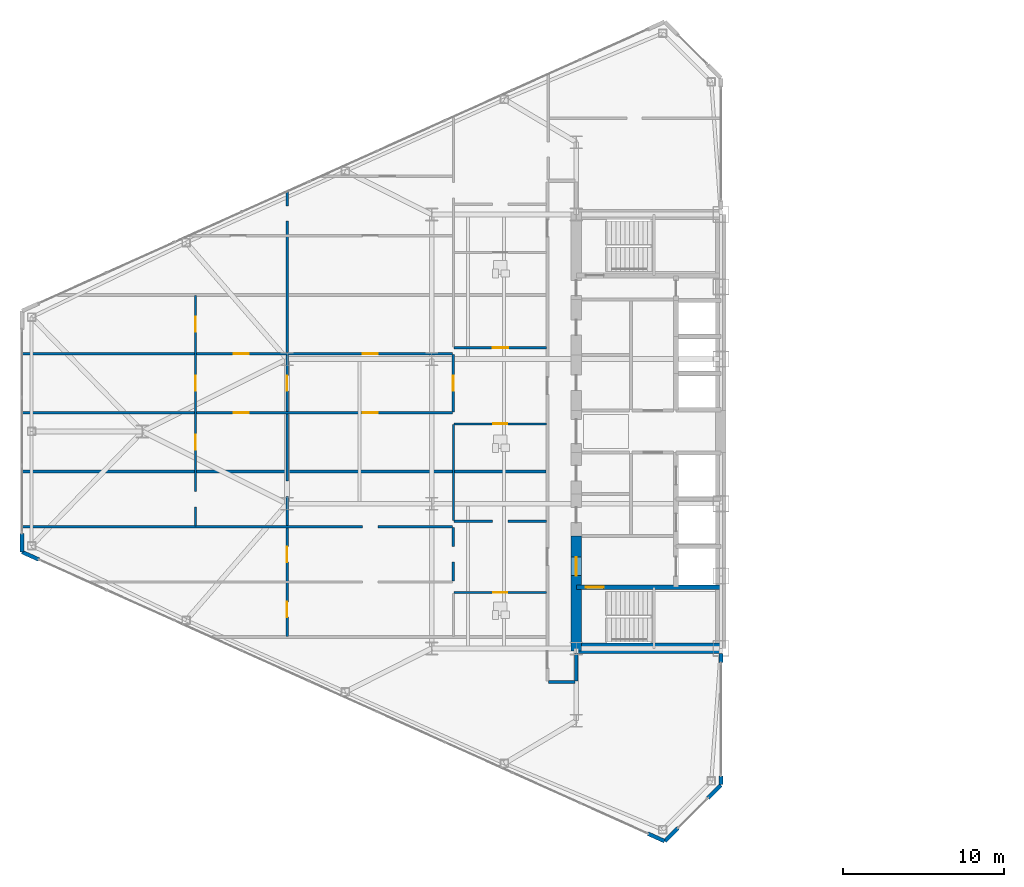
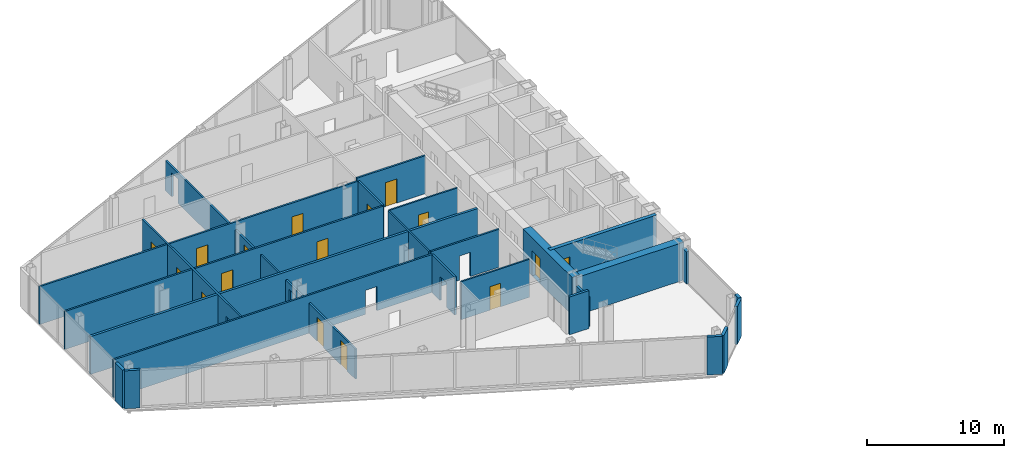
# One storey, part 19 of 27: 25 walls, 16 doors, 22 openings.
"""IFC4 building model written with IfcOpenShell, lengths in metres."""

from ifc_helpers import new_model, si_unit, direction, frame, frame_2d, origin, place, context, subcontext, project, spatial, rectangle, extrude, source, transform, mapped, material, layer, layer_set, type_object, type_shapes, element, fill, save


model = new_model("IFC4")

# Units and contexts
model_context = context("Model", 3, precision=1e-05, world=origin(), true_north=direction((0.0, 1.0)))
body_context = subcontext(model_context, "Body", "Model", "MODEL_VIEW")
ifc_project = project(units=[si_unit("LENGTHUNIT", "METRE"), si_unit("AREAUNIT", "SQUARE_METRE"), si_unit("VOLUMEUNIT", "CUBIC_METRE"), si_unit("PLANEANGLEUNIT", "RADIAN"), si_unit("MASSUNIT", "GRAM", prefix="KILO")], contexts=[model_context])

# Site, building, storey
site_placement = place(None, origin())
site = spatial("IfcSite", under=ifc_project, at=site_placement, CompositionType="ELEMENT")
building_placement = place(site_placement, origin())
building = spatial("IfcBuilding", under=site, at=building_placement, Name="Seokmaru Belvedere", CompositionType="ELEMENT")
storey_placement = place(building_placement, frame((0.0, 0.0, 92.39990234375)))
storey = spatial("IfcBuildingStorey", under=building, at=storey_placement, Name="L24", CompositionType="ELEMENT", Elevation=92.39990234375)

# Wall, opening
ifc_material_1 = material(Name="Fire-Rated Gypsum Shaftwall")
ifc_layer_1 = layer(ifc_material_1, 0.14990234375)
ifc_layer_set_1 = layer_set([ifc_layer_1], Name="Fire-Rated Gypsum Shaftwall")
wall_type_1 = type_object("IfcWallType", Name="Apartment Fire-Acoustic Room Partition 150", PredefinedType="PARTITIONING", material=ifc_layer_set_1)
wall_1_placement = place(storey_placement, frame((-71.034912109375, -5.929931640625, 0.0), z_axis=(0.0, 0.0, 1.0), x_axis=(1.0, 0.0, 0.0)))
wall_1 = element("IfcWall", 1, at=wall_1_placement, inside=storey, type_object=wall_type_1, Name="L24 Interior Partition 009", PredefinedType="PARTITIONING", context=body_context, shape_type="SweptSolid", body=[
    extrude(rectangle(XDim=26.8349609375, YDim=0.14990234375, at=frame_2d((13.41748046875, 0.0))), origin(), (0.0, 0.0, 1.0), 3.380126953125),
])
opening_1_placement = place(wall_1_placement, frame((21.235107421875, 0.0, 0.0)))
element("IfcOpeningElement", 2, at=opening_1_placement, cuts=wall_1, Name="L24 Cased Opening 008", PredefinedType="OPENING", context=body_context, shape_type="SweptSolid", body=[
    extrude(rectangle(XDim=0.949951171875, YDim=2.14990234375, at=frame_2d((0.47509765625, 1.074951171875))), frame((0.0, 0.0849609375, 0.0), z_axis=(0.0, -1.0, 0.0), x_axis=(1.0, 0.0, 0.0)), (0.0, 0.0, 1.0), 0.169921875),
])

wall_2_placement = place(storey_placement, frame((-44.10009765625, -5.590087890625, 0.0), z_axis=(0.0, 0.0, 1.0), x_axis=(1.0, 0.0, 0.0)))
wall_2 = element("IfcWall", 3, at=wall_2_placement, inside=storey, type_object=wall_type_1, Name="L24 Interior Partition 010", PredefinedType="PARTITIONING", context=body_context, shape_type="SweptSolid", body=[
    extrude(rectangle(XDim=5.75, YDim=0.14990234375, at=frame_2d((2.875, 0.0))), origin(), (0.0, 0.0, 1.0), 3.380126953125),
])
opening_2_placement = place(wall_2_placement, frame((2.39990234375, 0.0, 0.0)))
element("IfcOpeningElement", 4, at=opening_2_placement, cuts=wall_2, Name="L24 Cased Opening 004", PredefinedType="OPENING", context=body_context, shape_type="SweptSolid", body=[
    extrude(rectangle(XDim=0.949951171875, YDim=2.14990234375, at=frame_2d((0.47509765625, 1.074951171875))), frame((0.0, 0.0849609375, 0.0), z_axis=(0.0, -1.0, 0.0), x_axis=(1.0, 0.0, 0.0)), (0.0, 0.0, 1.0), 0.169921875),
])

# Wall, openings, doors
wall_3_placement = place(storey_placement, frame((-71.034912109375, 1.169921875, 0.0), z_axis=(0.0, 0.0, 1.0), x_axis=(1.0, 0.0, 0.0)))
wall_3 = element("IfcWall", 5, at=wall_3_placement, inside=storey, type_object=wall_type_1, Name="L24 Interior Partition 015", PredefinedType="PARTITIONING", context=body_context, shape_type="SweptSolid", body=[
    extrude(rectangle(XDim=26.8349609375, YDim=0.14990234375, at=frame_2d((13.41748046875, 0.0))), origin(), (0.0, 0.0, 1.0), 3.380126953125),
])
opening_3_placement = place(wall_3_placement, frame((21.235107421875, 0.0, 0.0)))
opening_3 = element("IfcOpeningElement", 6, at=opening_3_placement, cuts=wall_3, Name="Opening D05", PredefinedType="OPENING", context=body_context, shape_type="SweptSolid", body=[
    extrude(rectangle(XDim=0.949951171875, YDim=2.14990234375, at=frame_2d((0.47509765625, 1.074951171875))), frame((0.0, 0.0849609375, 0.0), z_axis=(0.0, -1.0, 0.0), x_axis=(1.0, 0.0, 0.0)), (0.0, 0.0, 1.0), 0.169921875),
])
opening_4_placement = place(wall_3_placement, frame((13.2099609375, 0.0, 0.0)))
opening_4 = element("IfcOpeningElement", 7, at=opening_4_placement, cuts=wall_3, Name="Opening D05", PredefinedType="OPENING", context=body_context, shape_type="SweptSolid", body=[
    extrude(rectangle(XDim=0.949951171875, YDim=2.14990234375, at=frame_2d((0.47509765625, 1.074951171875))), frame((0.0, 0.0849609375, 0.0), z_axis=(0.0, -1.0, 0.0), x_axis=(1.0, 0.0, 0.0)), (0.0, 0.0, 1.0), 0.169921875),
])
ifc_material_2 = material(Name="Engineered White Oak Timber", Category="wood")
door_type_1 = type_object("IfcDoorType", Name="Apartment Interior Fire-Rated Oak Door 950x2150", OperationType="NOTDEFINED", PredefinedType="DOOR", material=ifc_material_2)
shared_shape_1 = source(origin(), body_context, "Body", "SweptSolid", [
    extrude(rectangle(XDim=0.949951171875, YDim=2.14990234375, at=frame_2d((0.47509765625, 1.074951171875))), frame((0.0, 0.02490234375, 0.0), z_axis=(0.0, -1.0, 0.0), x_axis=(1.0, 0.0, 0.0)), (0.0, 0.0, 1.0), 0.050048828125),
])
type_shapes(door_type_1, [shared_shape_1])
door_1_placement = place(opening_3_placement, origin())
door_1 = element("IfcDoor", 8, at=door_1_placement, inside=storey, type_object=door_type_1, Name="L24 Interior Door 017", OperationType="SINGLE_SWING_RIGHT", OverallHeight=2.14990234375, OverallWidth=0.949951171875, PredefinedType="DOOR", context=body_context, shape_type="MappedRepresentation", body=[
    mapped(shared_shape_1, transform((0.0, 0.0, 0.0), scale=1.0)),
])
fill(opening_3, door_1)
door_2_placement = place(opening_4_placement, origin())
door_2 = element("IfcDoor", 9, at=door_2_placement, inside=storey, type_object=door_type_1, Name="L24 Interior Door 019", OperationType="SINGLE_SWING_LEFT", OverallHeight=2.14990234375, OverallWidth=0.949951171875, PredefinedType="DOOR", context=body_context, shape_type="MappedRepresentation", body=[
    mapped(shared_shape_1, transform((0.0, 0.0, 0.0), scale=1.0)),
])
fill(opening_4, door_2)

wall_4_placement = place(storey_placement, frame((-71.034912109375, 4.830078125, 0.0), z_axis=(0.0, 0.0, 1.0), x_axis=(1.0, 0.0, 0.0)))
wall_4 = element("IfcWall", 10, at=wall_4_placement, inside=storey, type_object=wall_type_1, Name="L24 Interior Partition 017", PredefinedType="PARTITIONING", context=body_context, shape_type="SweptSolid", body=[
    extrude(rectangle(XDim=26.8349609375, YDim=0.14990234375, at=frame_2d((13.41748046875, 0.0))), origin(), (0.0, 0.0, 1.0), 3.380126953125),
])
opening_5_placement = place(wall_4_placement, frame((21.235107421875, 0.0, 0.0)))
opening_5 = element("IfcOpeningElement", 11, at=opening_5_placement, cuts=wall_4, Name="Opening D05", PredefinedType="OPENING", context=body_context, shape_type="SweptSolid", body=[
    extrude(rectangle(XDim=0.949951171875, YDim=2.14990234375, at=frame_2d((0.47509765625, 1.074951171875))), frame((0.0, 0.0849609375, 0.0), z_axis=(0.0, -1.0, 0.0), x_axis=(1.0, 0.0, 0.0)), (0.0, 0.0, 1.0), 0.169921875),
])
opening_6_placement = place(wall_4_placement, frame((13.2099609375, 0.0, 0.0)))
opening_6 = element("IfcOpeningElement", 12, at=opening_6_placement, cuts=wall_4, Name="Opening D05", PredefinedType="OPENING", context=body_context, shape_type="SweptSolid", body=[
    extrude(rectangle(XDim=0.949951171875, YDim=2.14990234375, at=frame_2d((0.47509765625, 1.074951171875))), frame((0.0, 0.0849609375, 0.0), z_axis=(0.0, -1.0, 0.0), x_axis=(1.0, 0.0, 0.0)), (0.0, 0.0, 1.0), 0.169921875),
])
door_3_placement = place(opening_5_placement, origin())
door_3 = element("IfcDoor", 13, at=door_3_placement, inside=storey, type_object=door_type_1, Name="L24 Interior Door 018", OperationType="SINGLE_SWING_LEFT", OverallHeight=2.14990234375, OverallWidth=0.949951171875, PredefinedType="DOOR", context=body_context, shape_type="MappedRepresentation", body=[
    mapped(shared_shape_1, transform((0.0, 0.0, 0.0), scale=1.0)),
])
fill(opening_5, door_3)
door_4_placement = place(opening_6_placement, origin())
door_4 = element("IfcDoor", 14, at=door_4_placement, inside=storey, type_object=door_type_1, Name="L24 Interior Door 022", OperationType="SINGLE_SWING_LEFT", OverallHeight=2.14990234375, OverallWidth=0.949951171875, PredefinedType="DOOR", context=body_context, shape_type="MappedRepresentation", body=[
    mapped(shared_shape_1, transform((0.0, 0.0, 0.0), scale=1.0)),
])
fill(opening_6, door_4)

# Wall, opening, door
wall_5_placement = place(storey_placement, frame((-44.10009765625, 5.199951171875, 0.0), z_axis=(0.0, 0.0, 1.0), x_axis=(1.0, 0.0, 0.0)))
wall_5 = element("IfcWall", 15, at=wall_5_placement, inside=storey, type_object=wall_type_1, Name="L24 Interior Partition 018", PredefinedType="PARTITIONING", context=body_context, shape_type="SweptSolid", body=[
    extrude(rectangle(XDim=5.75, YDim=0.14990234375, at=frame_2d((2.875, 0.0))), origin(), (0.0, 0.0, 1.0), 3.380126953125),
])
opening_7_placement = place(wall_5_placement, frame((2.39990234375, 0.0, 0.0)))
opening_7 = element("IfcOpeningElement", 16, at=opening_7_placement, cuts=wall_5, Name="Opening D05", PredefinedType="OPENING", context=body_context, shape_type="SweptSolid", body=[
    extrude(rectangle(XDim=0.949951171875, YDim=2.14990234375, at=frame_2d((0.47509765625, 1.074951171875))), frame((0.0, 0.0849609375, 0.0), z_axis=(0.0, -1.0, 0.0), x_axis=(1.0, 0.0, 0.0)), (0.0, 0.0, 1.0), 0.169921875),
])
door_5_placement = place(opening_7_placement, origin())
door_5 = element("IfcDoor", 17, at=door_5_placement, inside=storey, type_object=door_type_1, Name="L24 Interior Door 014", OperationType="SINGLE_SWING_LEFT", OverallHeight=2.14990234375, OverallWidth=0.949951171875, PredefinedType="DOOR", context=body_context, shape_type="MappedRepresentation", body=[
    mapped(shared_shape_1, transform((0.0, 0.0, 0.0), scale=1.0)),
])
fill(opening_7, door_5)

# Wall, openings, doors
wall_6_placement = place(storey_placement, frame((-60.199951171875, -5.883056640625, 0.0), z_axis=(0.0, 0.0, 1.0), x_axis=(0.0, 1.0, 0.0)))
wall_6 = element("IfcWall", 18, at=wall_6_placement, inside=storey, type_object=wall_type_1, Name="L24 Interior Partition 032", PredefinedType="PARTITIONING", context=body_context, shape_type="SweptSolid", body=[
    extrude(rectangle(XDim=14.3330078125, YDim=0.14990234375, at=frame_2d((7.16650390625, 0.0))), origin(), (0.0, 0.0, 1.0), 3.380126953125),
])
opening_8_placement = place(wall_6_placement, frame((1.19140625, 0.0, 0.0)))
element("IfcOpeningElement", 19, at=opening_8_placement, cuts=wall_6, Name="L24 Cased Opening 011", PredefinedType="OPENING", context=body_context, shape_type="SweptSolid", body=[
    extrude(rectangle(XDim=0.949951171875, YDim=2.14990234375, at=frame_2d((0.47509765625, 1.074951171875))), frame((0.0, 0.0849609375, 0.0), z_axis=(0.0, -1.0, 0.0), x_axis=(1.0, 0.0, 0.0)), (0.0, 0.0, 1.0), 0.169921875),
])
opening_9_placement = place(wall_6_placement, frame((4.741455078125, 0.0, 0.0)))
opening_9 = element("IfcOpeningElement", 20, at=opening_9_placement, cuts=wall_6, Name="Opening D05", PredefinedType="OPENING", context=body_context, shape_type="SweptSolid", body=[
    extrude(rectangle(XDim=0.949951171875, YDim=2.14990234375, at=frame_2d((0.47509765625, 1.074951171875))), frame((0.0, 0.0849609375, 0.0), z_axis=(0.0, -1.0, 0.0), x_axis=(1.0, 0.0, 0.0)), (0.0, 0.0, 1.0), 0.169921875),
])
opening_10_placement = place(wall_6_placement, frame((8.407958984375, 0.0, 0.0)))
opening_10 = element("IfcOpeningElement", 21, at=opening_10_placement, cuts=wall_6, Name="Opening D05", PredefinedType="OPENING", context=body_context, shape_type="SweptSolid", body=[
    extrude(rectangle(XDim=0.949951171875, YDim=2.14990234375, at=frame_2d((0.47509765625, 1.074951171875))), frame((0.0, 0.0849609375, 0.0), z_axis=(0.0, -1.0, 0.0), x_axis=(1.0, 0.0, 0.0)), (0.0, 0.0, 1.0), 0.169921875),
])
opening_11_placement = place(wall_6_placement, frame((12.07470703125, 0.0, 0.0)))
opening_11 = element("IfcOpeningElement", 22, at=opening_11_placement, cuts=wall_6, Name="Opening D05", PredefinedType="OPENING", context=body_context, shape_type="SweptSolid", body=[
    extrude(rectangle(XDim=0.949951171875, YDim=2.14990234375, at=frame_2d((0.47509765625, 1.074951171875))), frame((0.0, 0.0849609375, 0.0), z_axis=(0.0, -1.0, 0.0), x_axis=(1.0, 0.0, 0.0)), (0.0, 0.0, 1.0), 0.169921875),
])
door_6_placement = place(opening_9_placement, origin())
door_6 = element("IfcDoor", 23, at=door_6_placement, inside=storey, type_object=door_type_1, Name="L24 Interior Door 020", OperationType="SINGLE_SWING_RIGHT", OverallHeight=2.14990234375, OverallWidth=0.949951171875, PredefinedType="DOOR", context=body_context, shape_type="MappedRepresentation", body=[
    mapped(shared_shape_1, transform((0.0, 0.0, 0.0), scale=1.0)),
])
fill(opening_9, door_6)
door_7_placement = place(opening_10_placement, origin())
door_7 = element("IfcDoor", 24, at=door_7_placement, inside=storey, type_object=door_type_1, Name="L24 Interior Door 021", OperationType="SINGLE_SWING_RIGHT", OverallHeight=2.14990234375, OverallWidth=0.949951171875, PredefinedType="DOOR", context=body_context, shape_type="MappedRepresentation", body=[
    mapped(shared_shape_1, transform((0.0, 0.0, 0.0), scale=1.0)),
])
fill(opening_10, door_7)
door_8_placement = place(opening_11_placement, origin())
door_8 = element("IfcDoor", 25, at=door_8_placement, inside=storey, type_object=door_type_1, Name="L24 Interior Door 023", OperationType="SINGLE_SWING_RIGHT", OverallHeight=2.14990234375, OverallWidth=0.949951171875, PredefinedType="DOOR", context=body_context, shape_type="MappedRepresentation", body=[
    mapped(shared_shape_1, transform((0.0, 0.0, 0.0), scale=1.0)),
])
fill(opening_11, door_8)

wall_7_placement = place(storey_placement, frame((-54.5, -12.75, 0.0), z_axis=(0.0, 0.0, 1.0), x_axis=(0.0, 1.0, 0.0)))
wall_7 = element("IfcWall", 26, at=wall_7_placement, inside=storey, type_object=wall_type_1, Name="L24 Interior Partition 033", PredefinedType="PARTITIONING", context=body_context, shape_type="SweptSolid", body=[
    extrude(rectangle(XDim=27.7099609375, YDim=0.14990234375, at=frame_2d((13.85498046875, 0.0))), origin(), (0.0, 0.0, 1.0), 2.68017578125),
])
opening_12_placement = place(wall_7_placement, frame((4.625, 0.0, 0.0)))
opening_12 = element("IfcOpeningElement", 27, at=opening_12_placement, cuts=wall_7, Name="Opening D05", PredefinedType="OPENING", context=body_context, shape_type="SweptSolid", body=[
    extrude(rectangle(XDim=0.949951171875, YDim=2.14990234375, at=frame_2d((0.47509765625, 1.074951171875))), frame((0.0, 0.0849609375, 0.0), z_axis=(0.0, -1.0, 0.0), x_axis=(1.0, 0.0, 0.0)), (0.0, 0.0, 1.0), 0.169921875),
])
opening_13_placement = place(wall_7_placement, frame((1.191650390625, 0.0, 0.0)))
opening_13 = element("IfcOpeningElement", 28, at=opening_13_placement, cuts=wall_7, Name="Opening D05", PredefinedType="OPENING", context=body_context, shape_type="SweptSolid", body=[
    extrude(rectangle(XDim=0.949951171875, YDim=2.14990234375, at=frame_2d((0.47509765625, 1.074951171875))), frame((0.0, 0.0849609375, 0.0), z_axis=(0.0, -1.0, 0.0), x_axis=(1.0, 0.0, 0.0)), (0.0, 0.0, 1.0), 0.169921875),
])
opening_14_placement = place(wall_7_placement, frame((8.71728515625, 0.0, 0.0)))
element("IfcOpeningElement", 29, at=opening_14_placement, cuts=wall_7, Name="L24 Cased Opening 010", PredefinedType="OPENING", context=body_context, shape_type="SweptSolid", body=[
    extrude(rectangle(XDim=0.949951171875, YDim=2.14990234375, at=frame_2d((0.47509765625, 1.074951171875))), frame((0.0, 0.0849609375, 0.0), z_axis=(0.0, -1.0, 0.0), x_axis=(1.0, 0.0, 0.0)), (0.0, 0.0, 1.0), 0.169921875),
])
opening_15_placement = place(wall_7_placement, frame((15.27490234375, 0.0, 0.0)))
opening_15 = element("IfcOpeningElement", 30, at=opening_15_placement, cuts=wall_7, Name="Opening D05", PredefinedType="OPENING", context=body_context, shape_type="SweptSolid", body=[
    extrude(rectangle(XDim=0.949951171875, YDim=2.14990234375, at=frame_2d((0.47509765625, 1.074951171875))), frame((0.0, 0.0849609375, 0.0), z_axis=(0.0, -1.0, 0.0), x_axis=(1.0, 0.0, 0.0)), (0.0, 0.0, 1.0), 0.169921875),
])
opening_16_placement = place(wall_7_placement, frame((25.834716796875, 0.0, 0.0)))
element("IfcOpeningElement", 31, at=opening_16_placement, cuts=wall_7, Name="L24 Cased Opening 028", PredefinedType="OPENING", context=body_context, shape_type="SweptSolid", body=[
    extrude(rectangle(XDim=0.949951171875, YDim=2.14990234375, at=frame_2d((0.47509765625, 1.074951171875))), frame((0.0, 0.0849609375, 0.0), z_axis=(0.0, -1.0, 0.0), x_axis=(1.0, 0.0, 0.0)), (0.0, 0.0, 1.0), 0.169921875),
])
door_9_placement = place(opening_12_placement, origin())
door_9 = element("IfcDoor", 32, at=door_9_placement, inside=storey, type_object=door_type_1, Name="L24 Interior Door 006", OperationType="SINGLE_SWING_LEFT", OverallHeight=2.14990234375, OverallWidth=0.949951171875, PredefinedType="DOOR", context=body_context, shape_type="MappedRepresentation", body=[
    mapped(shared_shape_1, transform((0.0, 0.0, 0.0), scale=1.0)),
])
fill(opening_12, door_9)
door_10_placement = place(opening_13_placement, origin())
door_10 = element("IfcDoor", 33, at=door_10_placement, inside=storey, type_object=door_type_1, Name="L24 Interior Door 009", OperationType="SINGLE_SWING_LEFT", OverallHeight=2.14990234375, OverallWidth=0.949951171875, PredefinedType="DOOR", context=body_context, shape_type="MappedRepresentation", body=[
    mapped(shared_shape_1, transform((0.0, 0.0, 0.0), scale=1.0)),
])
fill(opening_13, door_10)
door_11_placement = place(opening_15_placement, origin())
door_11 = element("IfcDoor", 34, at=door_11_placement, inside=storey, type_object=door_type_1, Name="L24 Interior Door 016", OperationType="SINGLE_SWING_LEFT", OverallHeight=2.14990234375, OverallWidth=0.949951171875, PredefinedType="DOOR", context=body_context, shape_type="MappedRepresentation", body=[
    mapped(shared_shape_1, transform((0.0, 0.0, 0.0), scale=1.0)),
])
fill(opening_15, door_11)

# Wall, opening
wall_8_placement = place(storey_placement, frame((-44.14990234375, -9.31689453125, 0.0), z_axis=(0.0, 0.0, 1.0), x_axis=(0.0, 1.0, 0.0)))
wall_8 = element("IfcWall", 35, at=wall_8_placement, inside=storey, type_object=wall_type_1, Name="L24 Interior Partition 035", PredefinedType="PARTITIONING", context=body_context, shape_type="SweptSolid", body=[
    extrude(rectangle(XDim=3.333984375, YDim=0.14990234375, at=frame_2d((1.6669921875, 0.0))), origin(), (0.0, 0.0, 1.0), 3.380126953125),
])
opening_17_placement = place(wall_8_placement, frame((1.19189453125, 0.0, 0.0)))
element("IfcOpeningElement", 36, at=opening_17_placement, cuts=wall_8, Name="L24 Cased Opening 005", PredefinedType="OPENING", context=body_context, shape_type="SweptSolid", body=[
    extrude(rectangle(XDim=0.949951171875, YDim=2.14990234375, at=frame_2d((0.47509765625, 1.074951171875))), frame((0.0, 0.0849609375, 0.0), z_axis=(0.0, -1.0, 0.0), x_axis=(1.0, 0.0, 0.0)), (0.0, 0.0, 1.0), 0.169921875),
])

# Wall, opening, door
wall_9_placement = place(storey_placement, frame((-44.14990234375, 1.217041015625, 0.0), z_axis=(0.0, 0.0, 1.0), x_axis=(0.0, 1.0, 0.0)))
wall_9 = element("IfcWall", 37, at=wall_9_placement, inside=storey, type_object=wall_type_1, Name="L24 Interior Partition 037", PredefinedType="PARTITIONING", context=body_context, shape_type="SweptSolid", body=[
    extrude(rectangle(XDim=3.56591796875, YDim=0.14990234375, at=frame_2d((1.782958984375, 0.0))), origin(), (0.0, 0.0, 1.0), 3.380126953125),
])
opening_18_placement = place(wall_9_placement, frame((1.30810546875, 0.0, 0.0)))
opening_18 = element("IfcOpeningElement", 38, at=opening_18_placement, cuts=wall_9, Name="Opening D05", PredefinedType="OPENING", context=body_context, shape_type="SweptSolid", body=[
    extrude(rectangle(XDim=0.949951171875, YDim=2.14990234375, at=frame_2d((0.47509765625, 1.074951171875))), frame((0.0, 0.0849609375, 0.0), z_axis=(0.0, -1.0, 0.0), x_axis=(1.0, 0.0, 0.0)), (0.0, 0.0, 1.0), 0.169921875),
])
door_12_placement = place(opening_18_placement, origin())
door_12 = element("IfcDoor", 39, at=door_12_placement, inside=storey, type_object=door_type_1, Name="L24 Interior Door 015", OperationType="SINGLE_SWING_RIGHT", OverallHeight=2.14990234375, OverallWidth=0.949951171875, PredefinedType="DOOR", context=body_context, shape_type="MappedRepresentation", body=[
    mapped(shared_shape_1, transform((0.0, 0.0, 0.0), scale=1.0)),
])
fill(opening_18, door_12)

# Walls
ifc_layer_2 = layer(ifc_material_1, 0.199951171875)
ifc_layer_set_2 = layer_set([ifc_layer_2], Name="Fire-Rated Gypsum Shaftwall")
wall_type_2 = type_object("IfcWallType", Name="Inter-Tenancy Fire Compartment Partition 200", PredefinedType="PARTITIONING", material=ifc_layer_set_2)
wall_10_placement = place(storey_placement, frame((-38.215087890625, -15.60009765625, 0.0), z_axis=(0.0, 0.0, 1.0), x_axis=(1.0, 0.0, 0.0)))
element("IfcWall", 40, at=wall_10_placement, inside=storey, type_object=wall_type_2, Name="L24 Interior Partition 001", PredefinedType="PARTITIONING", context=body_context, shape_type="SweptSolid", body=[
    extrude(rectangle(XDim=1.630126953125, YDim=0.199951171875, at=frame_2d((0.81494140625, 0.0))), origin(), (0.0, 0.0, 1.0), 3.380126953125),
])
wall_11_placement = place(storey_placement, frame((-71.0048828125, -2.5, 0.0), z_axis=(0.0, 0.0, 1.0), x_axis=(1.0, 0.0, 0.0)))
element("IfcWall", 41, at=wall_11_placement, inside=storey, type_object=wall_type_2, Name="L24 Interior Partition 011", PredefinedType="PARTITIONING", context=body_context, shape_type="SweptSolid", body=[
    extrude(rectangle(XDim=32.625, YDim=0.199951171875, at=frame_2d((16.3125, 0.0))), origin(), (0.0, 0.0, 1.0), 3.380126953125),
])
wall_12_placement = place(storey_placement, frame((-36.5, -15.514892578125, 0.0), z_axis=(0.0, 0.0, 1.0), x_axis=(0.0, 1.0, 0.0)))
element("IfcWall", 42, at=wall_12_placement, inside=storey, type_object=wall_type_2, Name="L24 Interior Partition 041", PredefinedType="PARTITIONING", context=body_context, shape_type="SweptSolid", body=[
    extrude(rectangle(XDim=1.684814453125, YDim=0.199951171875, at=frame_2d((0.84228515625, 0.0))), origin(), (0.0, 0.0, 1.0), 2.68017578125),
])

# Wall, opening, door
ifc_material_3 = material(Name="Concrete C50 (50 MPa)", Category="concrete")
ifc_layer_3 = layer(ifc_material_3, 0.300048828125)
ifc_layer_set_3 = layer_set([ifc_layer_3], Name="Concrete C50 (50 MPa)")
wall_type_3 = type_object("IfcWallType", Name="Internal Core Stair and Hoistway Wall 300", PredefinedType="SHEAR", material=ifc_layer_set_3)
wall_13_placement = place(storey_placement, frame((-36.5, -9.699951171875, 0.0), z_axis=(0.0, 0.0, 1.0), x_axis=(1.0, 0.0, 0.0)))
wall_13 = element("IfcWall", 43, at=wall_13_placement, inside=storey, type_object=wall_type_3, Name="L24 West Stair ST-1 Enclosure Wall", PredefinedType="SHEAR", context=body_context, shape_type="SweptSolid", body=[
    extrude(rectangle(XDim=9.0, YDim=0.300048828125, at=frame_2d((4.5, 0.0))), origin(), (0.0, 0.0, 1.0), 3.380126953125),
])
opening_19_placement = place(wall_13_placement, frame((0.60009765625, 0.0, 0.0)))
opening_19 = element("IfcOpeningElement", 44, at=opening_19_placement, cuts=wall_13, Name="Opening D01", PredefinedType="OPENING", context=body_context, shape_type="SweptSolid", body=[
    extrude(rectangle(XDim=1.10009765625, YDim=2.199951171875, at=frame_2d((0.550048828125, 1.10009765625))), frame((0.0, 0.16015625, 0.0), z_axis=(0.0, -1.0, 0.0), x_axis=(1.0, 0.0, 0.0)), (0.0, 0.0, 1.0), 0.320068359375),
])
ifc_material_4 = material(Name="Fire-Rated Steel Leaf", Category="steel")
door_type_2 = type_object("IfcDoorType", Name="Special Escape Stair Smokeproof Fire Door 1100x2200", OperationType="NOTDEFINED", PredefinedType="DOOR", material=ifc_material_4)
shared_shape_2 = source(origin(), body_context, "Body", "SweptSolid", [
    extrude(rectangle(XDim=1.10009765625, YDim=2.199951171875, at=frame_2d((0.550048828125, 1.10009765625))), frame((0.0, 0.02490234375, 0.0), z_axis=(0.0, -1.0, 0.0), x_axis=(1.0, 0.0, 0.0)), (0.0, 0.0, 1.0), 0.050048828125),
])
type_shapes(door_type_2, [shared_shape_2])
door_13_placement = place(opening_19_placement, frame((1.10009765625, 0.0, 0.0), z_axis=(0.0, 0.0, 1.0), x_axis=(-1.0, 0.0, 0.0)))
door_13 = element("IfcDoor", 45, at=door_13_placement, inside=storey, type_object=door_type_2, Name="L24 West Special Escape Stair ST-1 Door", OperationType="SINGLE_SWING_LEFT", OverallHeight=2.199951171875, OverallWidth=1.10009765625, PredefinedType="DOOR", context=body_context, shape_type="MappedRepresentation", body=[
    mapped(shared_shape_2, transform((0.0, 0.0, 0.0), scale=1.0)),
])
fill(opening_19, door_13)

# Wall
ifc_material_5 = material(Name="Concrete C60 (60 MPa)", Category="concrete")
ifc_layer_4 = layer(ifc_material_5, 0.64990234375)
ifc_layer_set_4 = layer_set([ifc_layer_4], Name="Concrete C60 (60 MPa)")
wall_type_4 = type_object("IfcWallType", Name="Mid-Low Reinforced Concrete Core Wall 650", PredefinedType="SHEAR", material=ifc_layer_set_4)
wall_14_placement = place(storey_placement, frame((-36.5, -13.5, 0.0), z_axis=(0.0, 0.0, 1.0), x_axis=(1.0, 0.0, 0.0)))
element("IfcWall", 46, at=wall_14_placement, inside=storey, type_object=wall_type_4, Name="L24 West South Core Wall", PredefinedType="SHEAR", context=body_context, shape_type="SweptSolid", body=[
    extrude(rectangle(XDim=9.0, YDim=0.64990234375, at=frame_2d((4.5, 0.0))), origin(), (0.0, 0.0, 1.0), 3.380126953125),
])

# Wall, opening, door
wall_15_placement = place(storey_placement, frame((-36.5, -13.64990234375, 0.0), z_axis=(0.0, 0.0, 1.0), x_axis=(0.0, 1.0, 0.0)))
wall_15 = element("IfcWall", 47, at=wall_15_placement, inside=storey, type_object=wall_type_4, Name="L24 West West Core Wall FF", PredefinedType="SHEAR", context=body_context, shape_type="SweptSolid", body=[
    extrude(rectangle(XDim=7.14990234375, YDim=0.64990234375, at=frame_2d((3.574951171875, 0.0))), origin(), (0.0, 0.0, 1.0), 3.380126953125),
])
opening_20_placement = place(wall_15_placement, frame((4.675048828125, 0.0, 0.0)))
opening_20 = element("IfcOpeningElement", 48, at=opening_20_placement, cuts=wall_15, Name="Opening D02", PredefinedType="OPENING", context=body_context, shape_type="SweptSolid", body=[
    extrude(rectangle(XDim=1.14990234375, YDim=2.199951171875, at=frame_2d((0.574951171875, 1.10009765625))), frame((0.0, 0.3349609375, 0.0), z_axis=(0.0, -1.0, 0.0), x_axis=(1.0, 0.0, 0.0)), (0.0, 0.0, 1.0), 0.669921875),
])
door_type_3 = type_object("IfcDoorType", Name="Lobby and Vestibule Fire Door 1150x2200", OperationType="NOTDEFINED", PredefinedType="DOOR", material=ifc_material_4)
shared_shape_3 = source(origin(), body_context, "Body", "SweptSolid", [
    extrude(rectangle(XDim=1.14990234375, YDim=2.199951171875, at=frame_2d((0.574951171875, 1.10009765625))), frame((0.0, 0.02490234375, 0.0), z_axis=(0.0, -1.0, 0.0), x_axis=(1.0, 0.0, 0.0)), (0.0, 0.0, 1.0), 0.050048828125),
])
type_shapes(door_type_3, [shared_shape_3])
door_14_placement = place(opening_20_placement, frame((1.14990234375, 0.0, 0.0), z_axis=(0.0, 0.0, 1.0), x_axis=(-1.0, 0.0, 0.0)))
door_14 = element("IfcDoor", 49, at=door_14_placement, inside=storey, type_object=door_type_3, Name="L24 West Firefighting Lobby Door", OperationType="SINGLE_SWING_LEFT", OverallHeight=2.199951171875, OverallWidth=1.14990234375, PredefinedType="DOOR", context=body_context, shape_type="MappedRepresentation", body=[
    mapped(shared_shape_3, transform((0.0, 0.0, 0.0), scale=1.0)),
])
fill(opening_20, door_14)

ifc_layer_5 = layer(ifc_material_1, 0.1298828125)
ifc_layer_set_5 = layer_set([ifc_layer_5], Name="Fire-Rated Gypsum Shaftwall")
wall_type_5 = type_object("IfcWallType", Name="Moisture-Resistant Fire-Rated Bathroom Partition 130", PredefinedType="PARTITIONING", material=ifc_layer_set_5)
wall_16_placement = place(storey_placement, frame((-44.10009765625, -10.02001953125, 0.0), z_axis=(0.0, 0.0, 1.0), x_axis=(1.0, 0.0, 0.0)))
wall_16 = element("IfcWall", 50, at=wall_16_placement, inside=storey, type_object=wall_type_5, Name="L24 Interior Partition 005", PredefinedType="PARTITIONING", context=body_context, shape_type="SweptSolid", body=[
    extrude(rectangle(XDim=5.75, YDim=0.1298828125, at=frame_2d((2.875, 0.0))), origin(), (0.0, 0.0, 1.0), 3.380126953125),
])
opening_21_placement = place(wall_16_placement, frame((2.43505859375, 0.0, 0.0)))
opening_21 = element("IfcOpeningElement", 51, at=opening_21_placement, cuts=wall_16, Name="Opening D06", PredefinedType="OPENING", context=body_context, shape_type="SweptSolid", body=[
    extrude(rectangle(XDim=0.8798828125, YDim=2.10009765625, at=frame_2d((0.43994140625, 1.050048828125))), frame((0.0, 0.074951171875, 0.0), z_axis=(0.0, -1.0, 0.0), x_axis=(1.0, 0.0, 0.0)), (0.0, 0.0, 1.0), 0.14990234375),
])
door_type_4 = type_object("IfcDoorType", Name="Bathroom and Restroom Fire-Rated Door 880x2100", OperationType="NOTDEFINED", PredefinedType="DOOR", material=ifc_material_2)
shared_shape_4 = source(origin(), body_context, "Body", "SweptSolid", [
    extrude(rectangle(XDim=0.8798828125, YDim=2.10009765625, at=frame_2d((0.43994140625, 1.050048828125))), frame((0.0, 0.02490234375, 0.0), z_axis=(0.0, -1.0, 0.0), x_axis=(1.0, 0.0, 0.0)), (0.0, 0.0, 1.0), 0.050048828125),
])
type_shapes(door_type_4, [shared_shape_4])
door_15_placement = place(opening_21_placement, origin())
door_15 = element("IfcDoor", 52, at=door_15_placement, inside=storey, type_object=door_type_4, Name="L24 Interior Door 003", OperationType="SINGLE_SWING_LEFT", OverallHeight=2.10009765625, OverallWidth=0.8798828125, PredefinedType="DOOR", context=body_context, shape_type="MappedRepresentation", body=[
    mapped(shared_shape_4, transform((0.0, 0.0, 0.0), scale=1.0)),
])
fill(opening_21, door_15)

wall_17_placement = place(storey_placement, frame((-44.10009765625, 0.469970703125, 0.0), z_axis=(0.0, 0.0, 1.0), x_axis=(1.0, 0.0, 0.0)))
wall_17 = element("IfcWall", 53, at=wall_17_placement, inside=storey, type_object=wall_type_5, Name="L24 Interior Partition 014", PredefinedType="PARTITIONING", context=body_context, shape_type="SweptSolid", body=[
    extrude(rectangle(XDim=5.75, YDim=0.1298828125, at=frame_2d((2.875, 0.0))), origin(), (0.0, 0.0, 1.0), 3.380126953125),
])
opening_22_placement = place(wall_17_placement, frame((2.43505859375, 0.0, 0.0)))
opening_22 = element("IfcOpeningElement", 54, at=opening_22_placement, cuts=wall_17, Name="Opening D06", PredefinedType="OPENING", context=body_context, shape_type="SweptSolid", body=[
    extrude(rectangle(XDim=0.8798828125, YDim=2.10009765625, at=frame_2d((0.43994140625, 1.050048828125))), frame((0.0, 0.074951171875, 0.0), z_axis=(0.0, -1.0, 0.0), x_axis=(1.0, 0.0, 0.0)), (0.0, 0.0, 1.0), 0.14990234375),
])
door_16_placement = place(opening_22_placement, origin())
door_16 = element("IfcDoor", 55, at=door_16_placement, inside=storey, type_object=door_type_4, Name="L24 Interior Door 013", OperationType="SINGLE_SWING_LEFT", OverallHeight=2.10009765625, OverallWidth=0.8798828125, PredefinedType="DOOR", context=body_context, shape_type="MappedRepresentation", body=[
    mapped(shared_shape_4, transform((0.0, 0.0, 0.0), scale=1.0)),
])
fill(opening_22, door_16)

# Walls
wall_18_placement = place(storey_placement, frame((-44.14990234375, -5.5380859375, 0.0), z_axis=(0.0, 0.0, 1.0), x_axis=(0.0, 1.0, 0.0)))
element("IfcWall", 56, at=wall_18_placement, inside=storey, type_object=wall_type_5, Name="L24 Interior Partition 036", PredefinedType="PARTITIONING", context=body_context, shape_type="SweptSolid", body=[
    extrude(rectangle(XDim=5.9560546875, YDim=0.1298828125, at=frame_2d((2.97802734375, 0.0))), origin(), (0.0, 0.0, 1.0), 3.380126953125),
])
ifc_material_6 = material(Name="Anodised Bronze Aluminium", Category="aluminium")
ifc_layer_6 = layer(ifc_material_6, 0.239990234375)
ifc_layer_set_6 = layer_set([ifc_layer_6], Name="Anodised Bronze Aluminium")
wall_type_6 = type_object("IfcWallType", Name="Tower Corner Spandrel Closure Wall 240", PredefinedType="SOLIDWALL", material=ifc_layer_set_6)
wall_19_placement = place(storey_placement, frame((-27.5, -21.97998046875, 0.0), z_axis=(0.0, 0.0, 1.0), x_axis=(0.0, 1.0, 0.0)))
element("IfcWall", 57, at=wall_19_placement, inside=storey, type_object=wall_type_6, Name="L24 W Spine Closure Pier 1A", PredefinedType="SOLIDWALL", context=body_context, shape_type="SweptSolid", body=[
    extrude(rectangle(XDim=0.550048828125, YDim=0.239990234375, at=frame_2d((0.27490234375, 0.0))), origin(), (0.0, 0.0, 1.0), 3.380126953125),
])
wall_20_placement = place(storey_placement, frame((-27.5, -14.3798828125, 0.0), z_axis=(0.0, 0.0, 1.0), x_axis=(0.0, 1.0, 0.0)))
element("IfcWall", 58, at=wall_20_placement, inside=storey, type_object=wall_type_6, Name="L24 W Spine Closure Pier 1B", PredefinedType="SOLIDWALL", context=body_context, shape_type="SweptSolid", body=[
    extrude(rectangle(XDim=0.5498046875, YDim=0.239990234375, at=frame_2d((0.27490234375, 0.0))), origin(), (0.0, 0.0, 1.0), 2.880126953125),
])
for number, where, z_axis, x_axis, name in (
    (59, (-71.0, -6.35009765625, 0.0), (0.0, 0.0, 1.0), (0.0, -1.0, 0.0), "L24 W Corner Closure Pier 4B"),
    (60, (-70.990966796875, -7.504150390625, 0.0), (0.0, 0.0, 1.0), (0.911929519623, -0.410346866979, 0.0), "L24 W Corner Closure Pier 5A"),
    (61, (-32.048583984375, -25.028076171875, 0.0), (0.0, 0.0, 1.0), (0.911929519623, -0.410346866979, 0.0), "L24 W Corner Closure Pier 5B"),
):
    element("IfcWall", number, at=place(storey_placement, frame(where, z_axis=z_axis, x_axis=x_axis)), inside=storey, type_object=wall_type_6, Name=name, PredefinedType="SOLIDWALL", context=body_context, shape_type="SweptSolid", body=[
        extrude(rectangle(XDim=1.139892578125, YDim=0.239990234375, at=frame_2d((0.56982421875, 0.0))), origin(), (0.0, 0.0, 1.0), 3.380126953125),
    ])
for number, where, z_axis, x_axis, name in (
    (62, (-30.992919921875, -25.492919921875, 0.0), (0.0, 0.0, 1.0), (0.707106781187, 0.707106781187, 0.0), "L24 W Corner Closure Pier 6A"),
    (63, (-28.313232421875, -22.813232421875, 0.0), (0.0, 0.0, 1.0), (0.707106781187, 0.707106781187, 0.0), "L24 W Corner Closure Pier 6B"),
):
    element("IfcWall", number, at=place(storey_placement, frame(where, z_axis=z_axis, x_axis=x_axis)), inside=storey, type_object=wall_type_6, Name=name, PredefinedType="SOLIDWALL", context=body_context, shape_type="SweptSolid", body=[
        extrude(rectangle(XDim=1.14013671875, YDim=0.239990234375, at=frame_2d((0.570068359375, 0.0))), origin(), (0.0, 0.0, 1.0), 3.380126953125),
    ])

save(model, "model.ifc")
